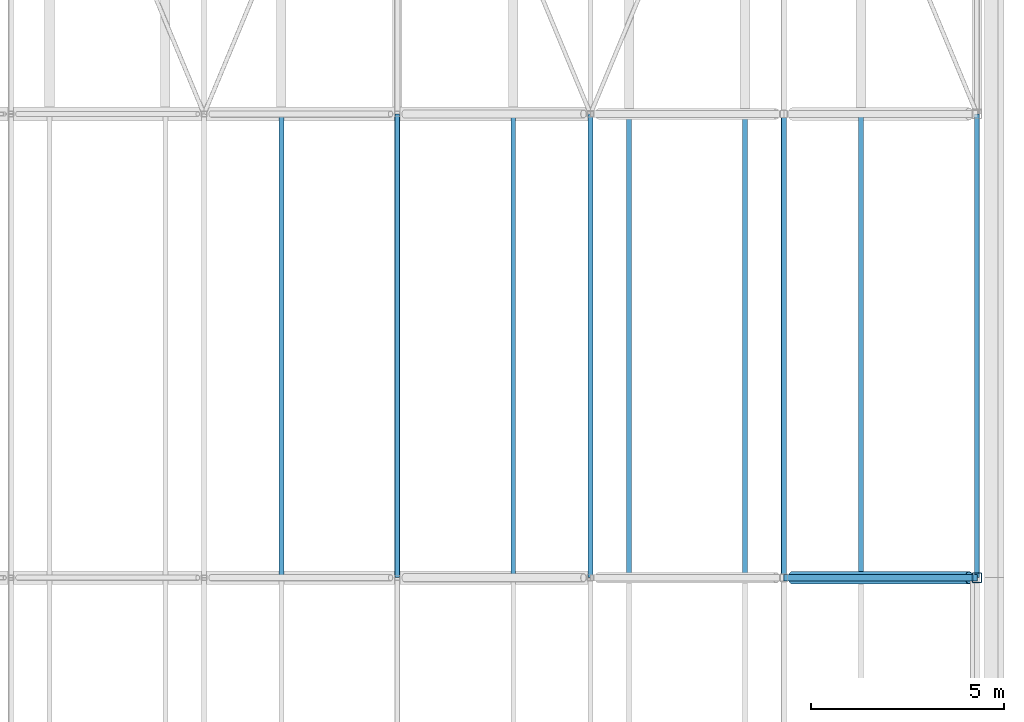
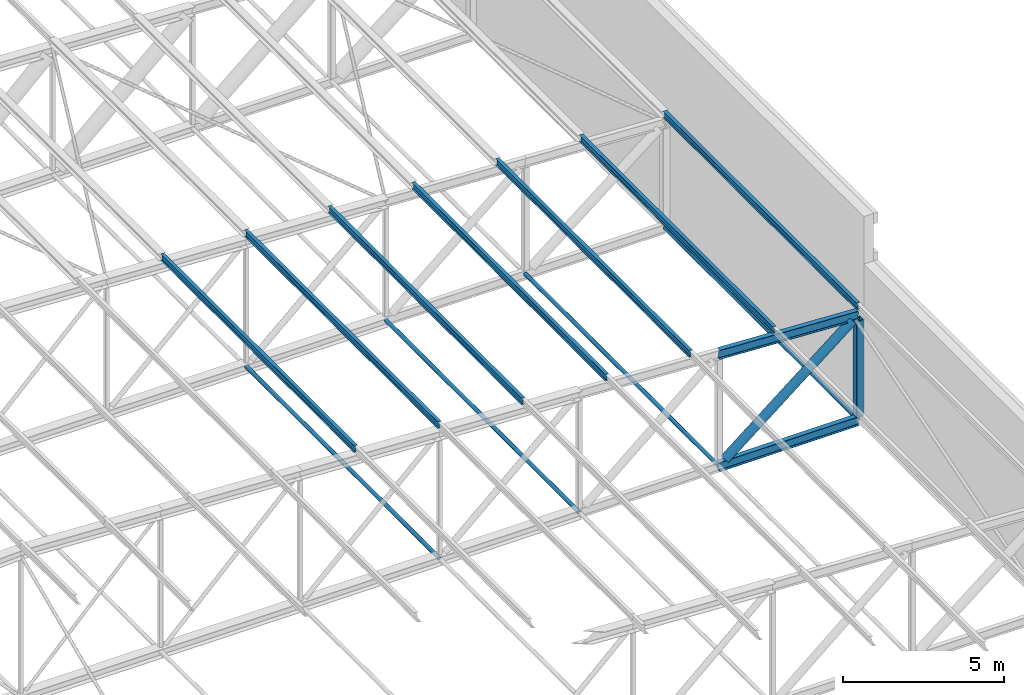
# One storey, part 81 of 156: 15 members.
"""IFC4 building model written with IfcOpenShell, lengths in metres."""

from ifc_helpers import new_model, si_unit, direction, frame, origin, origin_2d, place, context, subcontext, project, spatial, hollow_rectangle, hollow_circle, i_section, extrude, material, material_profile, profile_set, type_object, element, save


model = new_model("IFC4")

# Units and contexts
model_context = context("Model", 3, precision=1e-05, world=origin(), true_north=direction((0.0, 1.0)))
body_context = subcontext(model_context, "Body", "Model", "MODEL_VIEW")
ifc_project = project(units=[si_unit("LENGTHUNIT", "METRE"), si_unit("AREAUNIT", "SQUARE_METRE"), si_unit("VOLUMEUNIT", "CUBIC_METRE"), si_unit("PLANEANGLEUNIT", "RADIAN"), si_unit("MASSUNIT", "GRAM", prefix="KILO")], contexts=[model_context])

# Site, building, storey
site_placement = place(None, origin())
site = spatial("IfcSite", under=ifc_project, at=site_placement, CompositionType="ELEMENT")
building_placement = place(site_placement, origin())
building = spatial("IfcBuilding", under=site, at=building_placement, Name="Lilac Gate Convention Centre", CompositionType="ELEMENT")
storey_placement = place(building_placement, frame((0.0, 0.0, 17.0)))
storey = spatial("IfcBuildingStorey", under=building, at=storey_placement, Name="L03", CompositionType="ELEMENT", Elevation=17.0)

# Members
ifc_material = material(Name="Steel Q355B", Category="steel")
ifc_material_profile_1 = material_profile(ifc_material, hollow_circle(Radius=0.06982421875, WallThickness=0.0048828125, at=origin_2d()), Name="CHS139.7x5")
ifc_profile_set_1 = profile_set([ifc_material_profile_1], Name="Steel Q355B")
member_type_1 = type_object("IfcMemberType", Name="Bottom chord tie CHS139.7x5", PredefinedType="STRUT", material=ifc_profile_set_1)
member_1_placement = place(storey_placement, frame((75.0, 114.006103515625, 0.0), z_axis=(0.0, 1.0, 0.0), x_axis=(-1.0, 0.0, 0.0)))
element("IfcMember", 1, at=member_1_placement, inside=storey, type_object=member_type_1, Name="ST1 tie bay 8 node 10", PredefinedType="STRUT", context=body_context, shape_type="SweptSolid", body=[
    extrude(hollow_circle(Radius=0.06982421875, WallThickness=0.0048828125, at=origin_2d()), origin(), (0.0, 0.0, 1.0), 11.98779296875),
])
for number, where, z_axis, x_axis, name in (
    (2, (80.0, 114.00341796875, 0.0), (0.0, 1.0, 0.0), (-1.0, 0.0, 0.0), "ST1 tie bay 8 node 11"),
    (3, (85.0, 114.00341796875, 0.0), (0.0, 1.0, 0.0), (-1.0, 0.0, 0.0), "ST1 tie bay 8 node 12"),
    (4, (90.0, 114.00341796875, 0.0), (0.0, 1.0, 0.0), (-1.0, 0.0, 0.0), "ST1 tie bay 8 node 13"),
):
    element("IfcMember", number, at=place(storey_placement, frame(where, z_axis=z_axis, x_axis=x_axis)), inside=storey, type_object=member_type_1, Name=name, PredefinedType="STRUT", context=body_context, shape_type="SweptSolid", body=[
        extrude(hollow_circle(Radius=0.06982421875, WallThickness=0.0048828125, at=origin_2d()), origin(), (0.0, 0.0, 1.0), 11.9931640625),
    ])
ifc_material_profile_2 = material_profile(ifc_material, i_section(OverallWidth=0.125, OverallDepth=0.25, WebThickness=0.006103515625, FlangeThickness=0.009033203125, FilletRadius=0.008056640625, at=origin_2d()), Name="HN250x125x6x9")
ifc_profile_set_2 = profile_set([ifc_material_profile_2], Name="Steel Q355B")
member_type_2 = type_object("IfcMemberType", Name="Roof purlin HN250x125x6x9", PredefinedType="PURLIN", material=ifc_profile_set_2)
for number, where, z_axis, x_axis, name in (
    (5, (72.0, 114.0, 5.2001953125), (0.0, 1.0, 0.0), (-1.0, 0.0, 0.0), "PU2 purlin bay 8 line 15"),
    (6, (75.0, 114.0, 5.05029296875), (0.0, 1.0, 0.0), (-1.0, 0.0, 0.0), "PU2 purlin bay 8 line 16"),
    (7, (78.0, 114.0, 4.900146484375), (0.0, 1.0, 0.0), (-1.0, 0.0, 0.0), "PU2 purlin bay 8 line 17"),
    (8, (81.0, 114.0, 4.750244140625), (0.0, 1.0, 0.0), (-1.0, 0.0, 0.0), "PU2 purlin bay 8 line 18"),
    (9, (84.0, 114.0, 4.60009765625), (0.0, 1.0, 0.0), (-1.0, 0.0, 0.0), "PU2 purlin bay 8 line 19"),
    (10, (87.0, 114.0, 4.4501953125), (0.0, 1.0, 0.0), (-1.0, 0.0, 0.0), "PU2 purlin bay 8 line 20"),
    (11, (90.0, 114.0, 4.30029296875), (0.0, 1.0, 0.0), (-1.0, 0.0, 0.0), "PU2 purlin bay 8 line 21"),
):
    element("IfcMember", number, at=place(storey_placement, frame(where, z_axis=z_axis, x_axis=x_axis)), inside=storey, type_object=member_type_2, Name=name, PredefinedType="PURLIN", context=body_context, shape_type="SweptSolid", body=[
        extrude(i_section(OverallWidth=0.125, OverallDepth=0.25, WebThickness=0.006103515625, FlangeThickness=0.009033203125, FilletRadius=0.008056640625, at=origin_2d()), origin(), (0.0, 0.0, 1.0), 12.0),
    ])
ifc_material_profile_3 = material_profile(ifc_material, i_section(OverallWidth=0.175048828125, OverallDepth=0.35009765625, WebThickness=0.007080078125, FlangeThickness=0.010986328125, FilletRadius=0.012939453125, at=origin_2d()), Name="HN350x175x7x11")
ifc_profile_set_3 = profile_set([ifc_material_profile_3], Name="Steel Q355B")
member_type_3 = type_object("IfcMemberType", Name="Truss bottom chord HN350x175x7x11", PredefinedType="CHORD", material=ifc_profile_set_3)
member_2_placement = place(storey_placement, frame((85.0, 114.0, 0.0), z_axis=(1.0, 0.0, 0.0), x_axis=(0.0, 1.0, 0.0)))
element("IfcMember", 12, at=member_2_placement, inside=storey, type_object=member_type_3, Name="TB1 truss 8 bottom chord 12", PredefinedType="CHORD", context=body_context, shape_type="SweptSolid", body=[
    extrude(i_section(OverallWidth=0.175048828125, OverallDepth=0.35009765625, WebThickness=0.007080078125, FlangeThickness=0.010986328125, FilletRadius=0.012939453125, at=origin_2d()), origin(), (0.0, 0.0, 1.0), 5.0),
])
ifc_material_profile_4 = material_profile(ifc_material, hollow_circle(Radius=0.161865234375, WallThickness=0.011962890625, at=origin_2d()), Name="CHS323.9x12")
ifc_profile_set_4 = profile_set([ifc_material_profile_4], Name="Steel Q355B")
member_type_4 = type_object("IfcMemberType", Name="Truss diagonal CHS323.9x12", PredefinedType="BRACE", material=ifc_profile_set_4)
member_3_placement = place(storey_placement, frame((89.794677734375, 114.0, 3.835693359375), z_axis=(-0.780876938611, 0.0, -0.624684885959), x_axis=(0.0, -1.0, 0.0)))
element("IfcMember", 13, at=member_3_placement, inside=storey, type_object=member_type_4, Name="TW1 truss 8 diagonal 12", PredefinedType="BRACE", context=body_context, shape_type="SweptSolid", body=[
    extrude(hollow_circle(Radius=0.161865234375, WallThickness=0.011962890625, at=origin_2d()), origin(), (0.0, 0.0, 1.0), 5.860107421875),
])
ifc_material_profile_5 = material_profile(ifc_material, i_section(OverallWidth=0.175048828125, OverallDepth=0.35009765625, WebThickness=0.007080078125, FlangeThickness=0.010986328125, FilletRadius=0.012939453125, at=origin_2d()), Name="HN350x175x7x11")
ifc_profile_set_5 = profile_set([ifc_material_profile_5], Name="Steel Q355B")
member_type_5 = type_object("IfcMemberType", Name="Truss top chord HN350x175x7x11", PredefinedType="CHORD", material=ifc_profile_set_5)
member_4_placement = place(storey_placement, frame((85.0, 114.0, 4.25), z_axis=(0.998752338878, 0.0, -0.049937616944), x_axis=(0.0, 1.0, 0.0)))
element("IfcMember", 14, at=member_4_placement, inside=storey, type_object=member_type_5, Name="TT1 truss 8 top chord 12", PredefinedType="CHORD", context=body_context, shape_type="SweptSolid", body=[
    extrude(i_section(OverallWidth=0.175048828125, OverallDepth=0.35009765625, WebThickness=0.007080078125, FlangeThickness=0.010986328125, FilletRadius=0.012939453125, at=origin_2d()), origin(), (0.0, 0.0, 1.0), 5.00634765625),
])
ifc_material_profile_6 = material_profile(ifc_material, hollow_rectangle(XDim=0.25, YDim=0.25, WallThickness=0.010009765625, InnerFilletRadius=0.014892578125, OuterFilletRadius=0.02490234375, at=origin_2d()), Name="SHS250x250x10")
ifc_profile_set_6 = profile_set([ifc_material_profile_6], Name="Steel Q355B")
member_type_6 = type_object("IfcMemberType", Name="Truss vertical SHS250x250x10", PredefinedType="STRUT", material=ifc_profile_set_6)
member_5_placement = place(storey_placement, frame((90.0, 114.0, 0.175048828125), z_axis=(0.0, 0.0, 1.0), x_axis=(1.0, 0.0, 0.0)))
element("IfcMember", 15, at=member_5_placement, inside=storey, type_object=member_type_6, Name="TV1 truss 8 vertical 13", PredefinedType="STRUT", context=body_context, shape_type="SweptSolid", body=[
    extrude(hollow_rectangle(XDim=0.25, YDim=0.25, WallThickness=0.010009765625, InnerFilletRadius=0.014892578125, OuterFilletRadius=0.02490234375, at=origin_2d()), origin(), (0.0, 0.0, 1.0), 3.649658203125),
])

save(model, "model.ifc")
